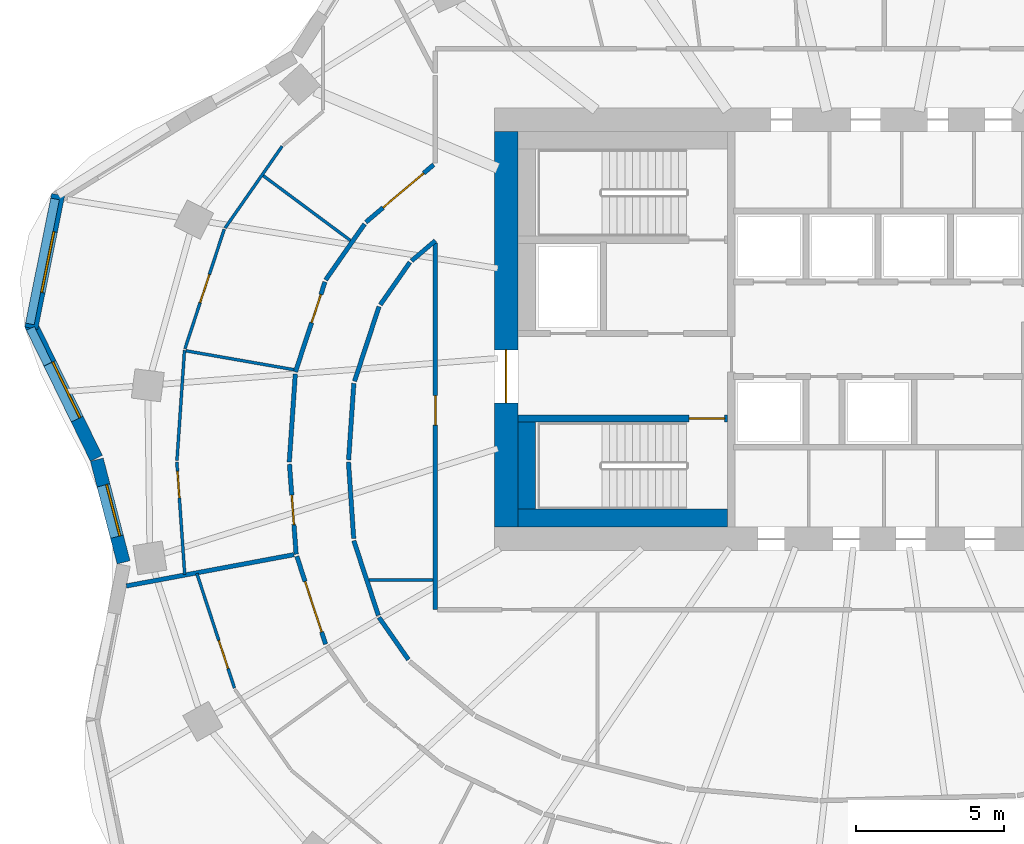
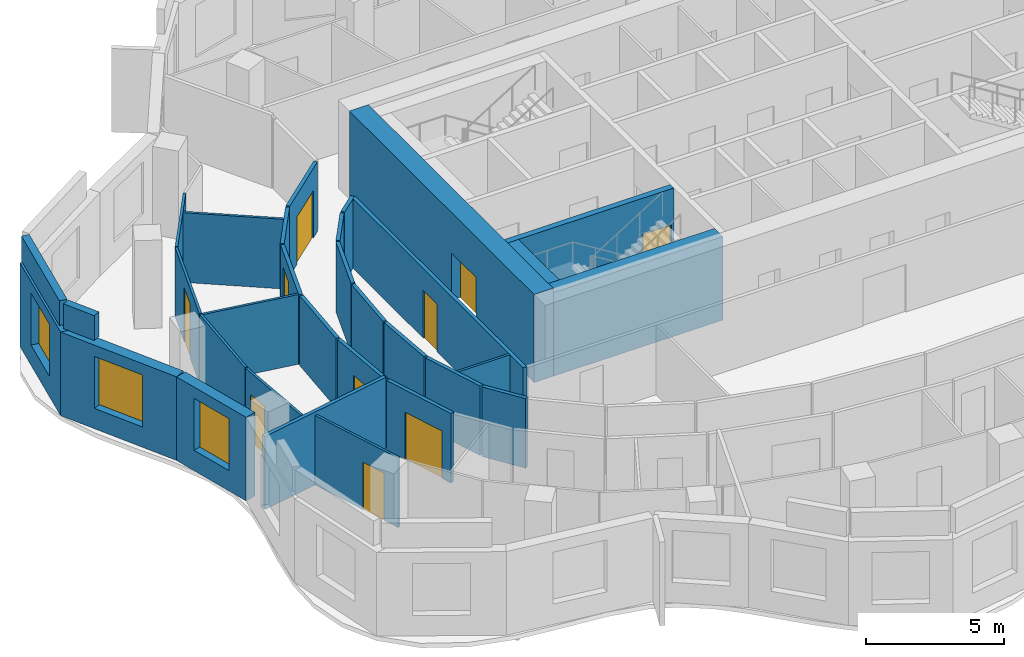
# One storey, part 4 of 11: 32 walls, 10 doors, 3 windows, 13 openings.
"""IFC4 building model written with IfcOpenShell, lengths in metres."""

from ifc_helpers import new_model, si_unit, direction, frame, frame_2d, origin, place, context, subcontext, project, spatial, rectangle, extrude, material, layer, layer_set, type_object, element, fill, save


model = new_model("IFC4")

# Units and contexts
model_context = context("Model", 3, precision=1e-05, world=origin(), true_north=direction((0.0, 1.0)))
body_context = subcontext(model_context, "Body", "Model", "MODEL_VIEW")
ifc_project = project(units=[si_unit("LENGTHUNIT", "METRE"), si_unit("AREAUNIT", "SQUARE_METRE"), si_unit("VOLUMEUNIT", "CUBIC_METRE"), si_unit("PLANEANGLEUNIT", "RADIAN"), si_unit("MASSUNIT", "GRAM", prefix="KILO")], contexts=[model_context])

# Site, building, storey
site_placement = place(None, origin())
site = spatial("IfcSite", under=ifc_project, at=site_placement, CompositionType="ELEMENT")
building_placement = place(site_placement, origin())
building = spatial("IfcBuilding", under=site, at=building_placement, Name="Rubra Terraces Tower", CompositionType="ELEMENT")
storey_placement = place(building_placement, frame((0.0, 0.0, 181.800048828125)))
storey = spatial("IfcBuildingStorey", under=building, at=storey_placement, Name="L44", CompositionType="ELEMENT", Elevation=181.800048828125)

# Wall, opening, window
ifc_material_1 = material(Name="Brick masonry red-brown", Category="masonry")
ifc_layer_1 = layer(ifc_material_1, 0.449951171875)
ifc_layer_set_1 = layer_set([ifc_layer_1], Name="Brick masonry red-brown")
wall_type_1 = type_object("IfcWallType", Name="Brick facade wall 450", PredefinedType="SOLIDWALL", material=ifc_layer_set_1)
wall_1_placement = place(storey_placement, frame((-27.779541015625, 9.053466796875, 0.0), z_axis=(0.0, 0.0, 1.0), x_axis=(-0.197796229105, -0.980243159503, 0.0)))
wall_1 = element("IfcWall", 1, at=wall_1_placement, inside=storey, type_object=wall_type_1, Name="Facade wall L44 bay 19", PredefinedType="SOLIDWALL", context=body_context, shape_type="SweptSolid", body=[
    extrude(rectangle(XDim=4.610107421875, YDim=0.449951171875, at=frame_2d((2.30517578125, 0.0))), origin(), (0.0, 0.0, 1.0), 3.699951171875),
])
opening_1_placement = place(wall_1_placement, frame((1.255126953125, 0.0, 0.89990234375)))
opening_1 = element("IfcOpeningElement", 2, at=opening_1_placement, cuts=wall_1, Name="Opening W1B", PredefinedType="OPENING", context=body_context, shape_type="SweptSolid", body=[
    extrude(rectangle(XDim=2.10009765625, YDim=2.300048828125, at=frame_2d((1.050048828125, 1.14990234375))), frame((0.0, 0.23486328125, 0.0), z_axis=(0.0, -1.0, 0.0), x_axis=(1.0, 0.0, 0.0)), (0.0, 0.0, 1.0), 0.469970703125),
])
ifc_material_2 = material(Name="Clear glass in aluminium frame", Category="aluminium")
window_type_1 = type_object("IfcWindowType", Name="Fixed deep-set window tall storey 2100 x 2300", PartitioningType="SINGLE_PANEL", PredefinedType="WINDOW", material=ifc_material_2)
window_1_placement = place(opening_1_placement, origin())
window_1 = element("IfcWindow", 3, at=window_1_placement, inside=storey, type_object=window_type_1, Name="Window L44 bay 19", OverallHeight=2.300048828125, OverallWidth=2.10009765625, PartitioningType="SINGLE_PANEL", PredefinedType="WINDOW", context=body_context, shape_type="SweptSolid", body=[
    extrude(rectangle(XDim=2.10009765625, YDim=2.300048828125, at=frame_2d((1.050048828125, 1.14990234375))), frame((0.0, 0.135009765625, 0.0), z_axis=(0.0, -1.0, 0.0), x_axis=(1.0, 0.0, 0.0)), (0.0, 0.0, 1.0), 0.06005859375),
])
fill(opening_1, window_1)

wall_2_placement = place(storey_placement, frame((-28.70703125, 4.672119140625, 0.0), z_axis=(0.0, 0.0, 1.0), x_axis=(0.439053549989, -0.898460895221, 0.0)))
wall_2 = element("IfcWall", 4, at=wall_2_placement, inside=storey, type_object=wall_type_1, Name="Facade wall L44 bay 20", PredefinedType="SOLIDWALL", context=body_context, shape_type="SweptSolid", body=[
    extrude(rectangle(XDim=5.061767578125, YDim=0.449951171875, at=frame_2d((2.53076171875, 0.0))), origin(), (0.0, 0.0, 1.0), 3.699951171875),
])
opening_2_placement = place(wall_2_placement, frame((1.48095703125, 0.0, 0.89990234375)))
opening_2 = element("IfcOpeningElement", 5, at=opening_2_placement, cuts=wall_2, Name="Opening W1B", PredefinedType="OPENING", context=body_context, shape_type="SweptSolid", body=[
    extrude(rectangle(XDim=2.10009765625, YDim=2.300048828125, at=frame_2d((1.050048828125, 1.14990234375))), frame((0.0, 0.23486328125, 0.0), z_axis=(0.0, -1.0, 0.0), x_axis=(1.0, 0.0, 0.0)), (0.0, 0.0, 1.0), 0.469970703125),
])
window_2_placement = place(opening_2_placement, origin())
window_2 = element("IfcWindow", 6, at=window_2_placement, inside=storey, type_object=window_type_1, Name="Window L44 bay 20", OverallHeight=2.300048828125, OverallWidth=2.10009765625, PartitioningType="SINGLE_PANEL", PredefinedType="WINDOW", context=body_context, shape_type="SweptSolid", body=[
    extrude(rectangle(XDim=2.10009765625, YDim=2.300048828125, at=frame_2d((1.050048828125, 1.14990234375))), frame((0.0, 0.135009765625, 0.0), z_axis=(0.0, -1.0, 0.0), x_axis=(1.0, 0.0, 0.0)), (0.0, 0.0, 1.0), 0.06005859375),
])
fill(opening_2, window_2)

wall_3_placement = place(storey_placement, frame((-26.469482421875, 0.0791015625, 0.0), z_axis=(0.0, 0.0, 1.0), x_axis=(0.252446779859, -0.967610780913, 0.0)))
wall_3 = element("IfcWall", 7, at=wall_3_placement, inside=storey, type_object=wall_type_1, Name="Facade wall L44 bay 21", PredefinedType="SOLIDWALL", context=body_context, shape_type="SweptSolid", body=[
    extrude(rectangle(XDim=3.5947265625, YDim=0.449951171875, at=frame_2d((1.79736328125, 0.0))), origin(), (0.0, 0.0, 1.0), 3.699951171875),
])
opening_3_placement = place(wall_3_placement, frame((0.897216796875, 0.0, 0.89990234375)))
opening_3 = element("IfcOpeningElement", 8, at=opening_3_placement, cuts=wall_3, Name="Opening W6B", PredefinedType="OPENING", context=body_context, shape_type="SweptSolid", body=[
    extrude(rectangle(XDim=1.800048828125, YDim=2.300048828125, at=frame_2d((0.89990234375, 1.14990234375))), frame((0.0, 0.23486328125, 0.0), z_axis=(0.0, -1.0, 0.0), x_axis=(1.0, 0.0, 0.0)), (0.0, 0.0, 1.0), 0.469970703125),
])
window_type_2 = type_object("IfcWindowType", Name="Fixed deep-set window at wind fin tall storey 1800 x 2300", PartitioningType="SINGLE_PANEL", PredefinedType="WINDOW", material=ifc_material_2)
window_3_placement = place(opening_3_placement, origin())
window_3 = element("IfcWindow", 9, at=window_3_placement, inside=storey, type_object=window_type_2, Name="Window L44 bay 21", OverallHeight=2.300048828125, OverallWidth=1.800048828125, PartitioningType="SINGLE_PANEL", PredefinedType="WINDOW", context=body_context, shape_type="SweptSolid", body=[
    extrude(rectangle(XDim=1.800048828125, YDim=2.300048828125, at=frame_2d((0.89990234375, 1.14990234375))), frame((0.0, 0.135009765625, 0.0), z_axis=(0.0, -1.0, 0.0), x_axis=(1.0, 0.0, 0.0)), (0.0, 0.0, 1.0), 0.06005859375),
])
fill(opening_3, window_3)

# Walls
ifc_layer_2 = layer(ifc_material_1, 0.300048828125)
ifc_layer_set_2 = layer_set([ifc_layer_2], Name="Brick masonry red-brown")
wall_type_2 = type_object("IfcWallType", Name="Brick parapet 300", PredefinedType="PARAPET", material=ifc_layer_set_2)
wall_4_placement = place(storey_placement, frame((-27.884521484375, 8.91162109375, 3.89990234375), z_axis=(0.0, 0.0, 1.0), x_axis=(-0.197855213088, -0.980231255701, 0.0)))
element("IfcWall", 10, at=wall_4_placement, inside=storey, type_object=wall_type_2, Name="Parapet L44 bay 19", PredefinedType="PARAPET", context=body_context, shape_type="SweptSolid", body=[
    extrude(rectangle(XDim=4.31884765625, YDim=0.300048828125, at=frame_2d((2.159423828125, 0.0))), origin(), (0.0, 0.0, 1.0), 1.10009765625),
])
wall_5_placement = place(storey_placement, frame((-28.719482421875, 4.5263671875, 3.89990234375), z_axis=(0.0, 0.0, 1.0), x_axis=(0.439122076977, -0.898427404697, 0.0)))
element("IfcWall", 11, at=wall_5_placement, inside=storey, type_object=wall_type_2, Name="Parapet L44 bay 20", PredefinedType="PARAPET", context=body_context, shape_type="SweptSolid", body=[
    extrude(rectangle(XDim=1.3427734375, YDim=0.300048828125, at=frame_2d((0.67138671875, 0.0))), origin(), (0.0, 0.0, 1.0), 1.10009765625),
])

# Wall, opening, door
ifc_material_3 = material(Name="Concrete C50", Category="concrete")
ifc_layer_3 = layer(ifc_material_3, 0.800048828125)
ifc_layer_set_3 = layer_set([ifc_layer_3], Name="Concrete C50")
wall_type_3 = type_object("IfcWallType", Name="CORE WALL 800 C50", PredefinedType="SHEAR", material=ifc_layer_set_3)
wall_6_placement = place(storey_placement, frame((-12.60009765625, -2.199951171875, 0.0), z_axis=(0.0, 0.0, 1.0), x_axis=(0.0, 1.0, 0.0)))
wall_6 = element("IfcWall", 12, at=wall_6_placement, inside=storey, type_object=wall_type_3, Name="CORE WALL W L44", PredefinedType="SHEAR", context=body_context, shape_type="SweptSolid", body=[
    extrude(rectangle(XDim=13.39990234375, YDim=0.800048828125, at=frame_2d((6.699951171875, 0.0))), origin(), (0.0, 0.0, 1.0), 3.89990234375),
])
opening_4_placement = place(wall_6_placement, frame((4.199951171875, 0.0, 0.0)))
opening_4 = element("IfcOpeningElement", 13, at=opening_4_placement, cuts=wall_6, Name="Opening L44.C01", PredefinedType="OPENING", context=body_context, shape_type="SweptSolid", body=[
    extrude(rectangle(XDim=1.800048828125, YDim=2.10009765625, at=frame_2d((0.89990234375, 1.050048828125))), frame((0.0, 0.409912109375, 0.0), z_axis=(0.0, -1.0, 0.0), x_axis=(1.0, 0.0, 0.0)), (0.0, 0.0, 1.0), 0.820068359375),
])
ifc_material_4 = material(Name="Painted steel", Category="steel")
door_type_1 = type_object("IfcDoorType", Name="Fire door 1800x2100 double", OperationType="NOTDEFINED", PredefinedType="DOOR", material=ifc_material_4)
door_1_placement = place(opening_4_placement, origin())
door_1 = element("IfcDoor", 14, at=door_1_placement, inside=storey, type_object=door_type_1, Name="Core entrance door FF1", OperationType="DOUBLE_DOOR_SINGLE_SWING", OverallHeight=2.10009765625, OverallWidth=1.800048828125, PredefinedType="DOOR", context=body_context, shape_type="SweptSolid", body=[
    extrude(rectangle(XDim=1.800048828125, YDim=2.10009765625, at=frame_2d((0.89990234375, 1.050048828125))), frame((0.0, 0.02490234375, 0.0), z_axis=(0.0, -1.0, 0.0), x_axis=(1.0, 0.0, 0.0)), (0.0, 0.0, 1.0), 0.050048828125),
])
fill(opening_4, door_1)

ifc_material_5 = material(Name="Plasterboard on steel stud, mineral wool infill", Category="steel")
ifc_layer_4 = layer(ifc_material_5, 0.14990234375)
ifc_layer_set_4 = layer_set([ifc_layer_4], Name="Plasterboard on steel stud, mineral wool infill")
wall_type_4 = type_object("IfcWallType", Name="CORRIDOR PARTITION 150", PredefinedType="PARTITIONING", material=ifc_layer_set_4)
wall_7_placement = place(storey_placement, frame((-15.05712890625, 10.072998046875, 0.0), z_axis=(0.0, 0.0, 1.0), x_axis=(-0.762398905861, -0.647107339119, 0.0)))
wall_7 = element("IfcWall", 15, at=wall_7_placement, inside=storey, type_object=wall_type_4, Name="PARTITION", PredefinedType="PARTITIONING", context=body_context, shape_type="SweptSolid", body=[
    extrude(rectangle(XDim=3.013427734375, YDim=0.14990234375, at=frame_2d((1.5068359375, 0.0))), origin(), (0.0, 0.0, 1.0), 3.083984375),
])
opening_5_placement = place(wall_7_placement, frame((0.449951171875, 0.0, 0.0)))
opening_5 = element("IfcOpeningElement", 16, at=opening_5_placement, cuts=wall_7, Name="Opening 44-110", PredefinedType="OPENING", context=body_context, shape_type="SweptSolid", body=[
    extrude(rectangle(XDim=1.800048828125, YDim=2.10009765625, at=frame_2d((0.89990234375, 1.050048828125))), frame((0.0, 0.0849609375, 0.0), z_axis=(0.0, -1.0, 0.0), x_axis=(1.0, 0.0, 0.0)), (0.0, 0.0, 1.0), 0.169921875),
])
ifc_material_6 = material(Name="Painted timber door leaf, double", Category="wood")
door_type_2 = type_object("IfcDoorType", Name="ROOM DOUBLE DOOR 1800 X 2100", OperationType="DOUBLE_DOOR_SINGLE_SWING", PredefinedType="DOOR", material=ifc_material_6)
door_2_placement = place(opening_5_placement, origin())
door_2 = element("IfcDoor", 17, at=door_2_placement, inside=storey, type_object=door_type_2, Name="DOOR 44-110", OperationType="DOUBLE_DOOR_SINGLE_SWING", OverallHeight=2.10009765625, OverallWidth=1.800048828125, PredefinedType="DOOR", context=body_context, shape_type="SweptSolid", body=[
    extrude(rectangle(XDim=1.800048828125, YDim=2.10009765625, at=frame_2d((0.89990234375, 1.050048828125))), frame((0.0, 0.02490234375, 0.0), z_axis=(0.0, -1.0, 0.0), x_axis=(1.0, 0.0, 0.0)), (0.0, 0.0, 1.0), 0.050048828125),
])
fill(opening_5, door_2)

# Wall
wall_8_placement = place(storey_placement, frame((-17.3974609375, 8.0615234375, 0.0), z_axis=(0.0, 0.0, 1.0), x_axis=(-0.572118665737, -0.820170855563, 0.0)))
element("IfcWall", 18, at=wall_8_placement, inside=storey, type_object=wall_type_4, Name="PARTITION", PredefinedType="PARTITIONING", context=body_context, shape_type="SweptSolid", body=[
    extrude(rectangle(XDim=2.30615234375, YDim=0.14990234375, at=frame_2d((1.153076171875, 0.0))), origin(), (0.0, 0.0, 1.0), 3.083984375),
])

# Wall, opening, door
wall_9_placement = place(storey_placement, frame((-18.740234375, 6.098876953125, 0.0), z_axis=(0.0, 0.0, 1.0), x_axis=(-0.31188427026, -0.950120098706, 0.0)))
wall_9 = element("IfcWall", 19, at=wall_9_placement, inside=storey, type_object=wall_type_4, Name="PARTITION", PredefinedType="PARTITIONING", context=body_context, shape_type="SweptSolid", body=[
    extrude(rectangle(XDim=3.206298828125, YDim=0.14990234375, at=frame_2d((1.60302734375, 0.0))), origin(), (0.0, 0.0, 1.0), 3.083984375),
])
opening_6_placement = place(wall_9_placement, frame((0.449951171875, 0.0, 0.0)))
opening_6 = element("IfcOpeningElement", 20, at=opening_6_placement, cuts=wall_9, Name="Opening 44-111", PredefinedType="OPENING", context=body_context, shape_type="SweptSolid", body=[
    extrude(rectangle(XDim=1.0, YDim=2.39990234375, at=frame_2d((0.5, 1.199951171875))), frame((0.0, 0.0849609375, 0.0), z_axis=(0.0, -1.0, 0.0), x_axis=(1.0, 0.0, 0.0)), (0.0, 0.0, 1.0), 0.169921875),
])
ifc_material_7 = material(Name="Glazed aluminium meeting door leaf", Category="aluminium")
door_type_3 = type_object("IfcDoorType", Name="MEETING ROOM GLAZED DOOR 1000 X 2400", OperationType="SINGLE_SWING_LEFT", PredefinedType="DOOR", material=ifc_material_7)
door_3_placement = place(opening_6_placement, origin())
door_3 = element("IfcDoor", 21, at=door_3_placement, inside=storey, type_object=door_type_3, Name="DOOR 44-111", OperationType="SINGLE_SWING_RIGHT", OverallHeight=2.39990234375, OverallWidth=1.0, PredefinedType="DOOR", context=body_context, shape_type="SweptSolid", body=[
    extrude(rectangle(XDim=1.0, YDim=2.39990234375, at=frame_2d((0.5, 1.199951171875))), frame((0.0, 0.02490234375, 0.0), z_axis=(0.0, -1.0, 0.0), x_axis=(1.0, 0.0, 0.0)), (0.0, 0.0, 1.0), 0.050048828125),
])
fill(opening_6, door_3)

# Wall
wall_10_placement = place(storey_placement, frame((-19.745361328125, 2.9775390625, 0.0), z_axis=(0.0, 0.0, 1.0), x_axis=(-0.068142324, -0.997675610447, 0.0)))
element("IfcWall", 22, at=wall_10_placement, inside=storey, type_object=wall_type_4, Name="PARTITION", PredefinedType="PARTITIONING", context=body_context, shape_type="SweptSolid", body=[
    extrude(rectangle(XDim=2.984375, YDim=0.14990234375, at=frame_2d((1.4921875, 0.0))), origin(), (0.0, 0.0, 1.0), 3.083984375),
])

# Wall, opening, door
wall_11_placement = place(storey_placement, frame((-19.943115234375, -0.07470703125, 0.0), z_axis=(0.0, 0.0, 1.0), x_axis=(0.074071611523, -0.997252924973, 0.0)))
wall_11 = element("IfcWall", 23, at=wall_11_placement, inside=storey, type_object=wall_type_4, Name="PARTITION", PredefinedType="PARTITIONING", context=body_context, shape_type="SweptSolid", body=[
    extrude(rectangle(XDim=3.05859375, YDim=0.14990234375, at=frame_2d((1.529296875, 0.0))), origin(), (0.0, 0.0, 1.0), 3.083984375),
])
opening_7_placement = place(wall_11_placement, frame((1.050048828125, 0.0, 0.0)))
opening_7 = element("IfcOpeningElement", 24, at=opening_7_placement, cuts=wall_11, Name="Opening 44-135", PredefinedType="OPENING", context=body_context, shape_type="SweptSolid", body=[
    extrude(rectangle(XDim=1.0, YDim=2.10009765625, at=frame_2d((0.5, 1.050048828125))), frame((0.0, 0.0849609375, 0.0), z_axis=(0.0, -1.0, 0.0), x_axis=(1.0, 0.0, 0.0)), (0.0, 0.0, 1.0), 0.169921875),
])
ifc_material_8 = material(Name="Painted timber door leaf", Category="wood")
door_type_4 = type_object("IfcDoorType", Name="ROOM DOOR 1000 X 2100", OperationType="SINGLE_SWING_LEFT", PredefinedType="DOOR", material=ifc_material_8)
door_4_placement = place(opening_7_placement, origin())
door_4 = element("IfcDoor", 25, at=door_4_placement, inside=storey, type_object=door_type_4, Name="DOOR 44-135", OperationType="SINGLE_SWING_RIGHT", OverallHeight=2.10009765625, OverallWidth=1.0, PredefinedType="DOOR", context=body_context, shape_type="SweptSolid", body=[
    extrude(rectangle(XDim=1.0, YDim=2.10009765625, at=frame_2d((0.5, 1.050048828125))), frame((0.0, 0.02490234375, 0.0), z_axis=(0.0, -1.0, 0.0), x_axis=(1.0, 0.0, 0.0)), (0.0, 0.0, 1.0), 0.050048828125),
])
fill(opening_7, door_4)

wall_12_placement = place(storey_placement, frame((-19.693115234375, -3.1962890625, 0.0), z_axis=(0.0, 0.0, 1.0), x_axis=(0.311918951318, -0.950108713679, 0.0)))
wall_12 = element("IfcWall", 26, at=wall_12_placement, inside=storey, type_object=wall_type_4, Name="PARTITION", PredefinedType="PARTITIONING", context=body_context, shape_type="SweptSolid", body=[
    extrude(rectangle(XDim=3.130126953125, YDim=0.14990234375, at=frame_2d((1.56494140625, 0.0))), origin(), (0.0, 0.0, 1.0), 3.083984375),
])
opening_8_placement = place(wall_12_placement, frame((0.89990234375, 0.0, 0.0)))
opening_8 = element("IfcOpeningElement", 27, at=opening_8_placement, cuts=wall_12, Name="Opening 44-113", PredefinedType="OPENING", context=body_context, shape_type="SweptSolid", body=[
    extrude(rectangle(XDim=1.800048828125, YDim=2.10009765625, at=frame_2d((0.89990234375, 1.050048828125))), frame((0.0, 0.0849609375, 0.0), z_axis=(0.0, -1.0, 0.0), x_axis=(1.0, 0.0, 0.0)), (0.0, 0.0, 1.0), 0.169921875),
])
door_5_placement = place(opening_8_placement, origin())
door_5 = element("IfcDoor", 28, at=door_5_placement, inside=storey, type_object=door_type_2, Name="DOOR 44-113", OperationType="DOUBLE_DOOR_SINGLE_SWING", OverallHeight=2.10009765625, OverallWidth=1.800048828125, PredefinedType="DOOR", context=body_context, shape_type="SweptSolid", body=[
    extrude(rectangle(XDim=1.800048828125, YDim=2.10009765625, at=frame_2d((0.89990234375, 1.050048828125))), frame((0.0, 0.02490234375, 0.0), z_axis=(0.0, -1.0, 0.0), x_axis=(1.0, 0.0, 0.0)), (0.0, 0.0, 1.0), 0.050048828125),
])
fill(opening_8, door_5)

# Walls
wall_13_placement = place(storey_placement, frame((-15.911865234375, -6.695556640625, 0.0), z_axis=(0.0, 0.0, 1.0), x_axis=(-0.572078533763, 0.820198848578, 0.0)))
element("IfcWall", 29, at=wall_13_placement, inside=storey, type_object=wall_type_4, Name="PARTITION", PredefinedType="PARTITIONING", context=body_context, shape_type="SweptSolid", body=[
    extrude(rectangle(XDim=1.74169921875, YDim=0.14990234375, at=frame_2d((0.870849609375, 0.0))), origin(), (0.0, 0.0, 1.0), 3.083984375),
])
wall_14_placement = place(storey_placement, frame((-16.931640625, -5.19580078125, 0.0), z_axis=(0.0, 0.0, 1.0), x_axis=(-0.311904957484, 0.950113307715, 0.0)))
element("IfcWall", 30, at=wall_14_placement, inside=storey, type_object=wall_type_4, Name="PARTITION", PredefinedType="PARTITIONING", context=body_context, shape_type="SweptSolid", body=[
    extrude(rectangle(XDim=2.662109375, YDim=0.14990234375, at=frame_2d((1.3310546875, 0.0))), origin(), (0.0, 0.0, 1.0), 3.083984375),
])
wall_15_placement = place(storey_placement, frame((-17.76708984375, -2.591552734375, 0.0), z_axis=(0.0, 0.0, 1.0), x_axis=(-0.068140828228, 0.997675712608, 0.0)))
element("IfcWall", 31, at=wall_15_placement, inside=storey, type_object=wall_type_4, Name="PARTITION", PredefinedType="PARTITIONING", context=body_context, shape_type="SweptSolid", body=[
    extrude(rectangle(XDim=2.59765625, YDim=0.14990234375, at=frame_2d((1.298828125, 0.0))), origin(), (0.0, 0.0, 1.0), 3.083984375),
])
wall_16_placement = place(storey_placement, frame((-17.939208984375, 0.07470703125, 0.0), z_axis=(0.0, 0.0, 1.0), x_axis=(0.068227980697, 0.997669756307, 0.0)))
element("IfcWall", 32, at=wall_16_placement, inside=storey, type_object=wall_type_4, Name="PARTITION", PredefinedType="PARTITIONING", context=body_context, shape_type="SweptSolid", body=[
    extrude(rectangle(XDim=2.597900390625, YDim=0.14990234375, at=frame_2d((1.298828125, 0.0))), origin(), (0.0, 0.0, 1.0), 3.083984375),
])
wall_17_placement = place(storey_placement, frame((-17.738525390625, 2.73779296875, 0.0), z_axis=(0.0, 0.0, 1.0), x_axis=(0.311904957484, 0.950113307715, 0.0)))
element("IfcWall", 33, at=wall_17_placement, inside=storey, type_object=wall_type_4, Name="PARTITION", PredefinedType="PARTITIONING", context=body_context, shape_type="SweptSolid", body=[
    extrude(rectangle(XDim=2.662109375, YDim=0.14990234375, at=frame_2d((1.3310546875, 0.0))), origin(), (0.0, 0.0, 1.0), 3.083984375),
])
wall_18_placement = place(storey_placement, frame((-16.865478515625, 5.32861328125, 0.0), z_axis=(0.0, 0.0, 1.0), x_axis=(0.572096615639, 0.820186236397, 0.0)))
element("IfcWall", 34, at=wall_18_placement, inside=storey, type_object=wall_type_4, Name="PARTITION", PredefinedType="PARTITIONING", context=body_context, shape_type="SweptSolid", body=[
    extrude(rectangle(XDim=1.752685546875, YDim=0.14990234375, at=frame_2d((0.87646484375, 0.0))), origin(), (0.0, 0.0, 1.0), 3.083984375),
])
wall_19_placement = place(storey_placement, frame((-15.805419921875, 6.814453125, 0.0), z_axis=(0.0, 0.0, 1.0), x_axis=(0.762298381233, 0.647225755027, 0.0)))
element("IfcWall", 35, at=wall_19_placement, inside=storey, type_object=wall_type_4, Name="PARTITION", PredefinedType="PARTITIONING", context=body_context, shape_type="SweptSolid", body=[
    extrude(rectangle(XDim=1.056640625, YDim=0.14990234375, at=frame_2d((0.5283203125, 0.0))), origin(), (0.0, 0.0, 1.0), 3.083984375),
])

# Wall, opening, door
wall_20_placement = place(storey_placement, frame((-15.0, 7.423095703125, 0.0), z_axis=(0.0, 0.0, 1.0), x_axis=(0.0, -1.0, 0.0)))
wall_20 = element("IfcWall", 36, at=wall_20_placement, inside=storey, type_object=wall_type_4, Name="PARTITION", PredefinedType="PARTITIONING", context=body_context, shape_type="SweptSolid", body=[
    extrude(rectangle(XDim=12.423095703125, YDim=0.14990234375, at=frame_2d((6.21142578125, 0.0))), origin(), (0.0, 0.0, 1.0), 3.083984375),
])
opening_9_placement = place(wall_20_placement, frame((5.174072265625, 0.0, 0.0)))
opening_9 = element("IfcOpeningElement", 37, at=opening_9_placement, cuts=wall_20, Name="Opening 44-127", PredefinedType="OPENING", context=body_context, shape_type="SweptSolid", body=[
    extrude(rectangle(XDim=1.0, YDim=2.10009765625, at=frame_2d((0.5, 1.050048828125))), frame((0.0, 0.0849609375, 0.0), z_axis=(0.0, -1.0, 0.0), x_axis=(1.0, 0.0, 0.0)), (0.0, 0.0, 1.0), 0.169921875),
])
door_6_placement = place(opening_9_placement, origin())
door_6 = element("IfcDoor", 38, at=door_6_placement, inside=storey, type_object=door_type_4, Name="DOOR 44-127", OperationType="SINGLE_SWING_RIGHT", OverallHeight=2.10009765625, OverallWidth=1.0, PredefinedType="DOOR", context=body_context, shape_type="SweptSolid", body=[
    extrude(rectangle(XDim=1.0, YDim=2.10009765625, at=frame_2d((0.5, 1.050048828125))), frame((0.0, 0.02490234375, 0.0), z_axis=(0.0, -1.0, 0.0), x_axis=(1.0, 0.0, 0.0)), (0.0, 0.0, 1.0), 0.050048828125),
])
fill(opening_9, door_6)

# Walls
ifc_material_9 = material(Name="Concrete C40", Category="concrete")
ifc_layer_5 = layer(ifc_material_9, 0.60009765625)
ifc_layer_set_5 = layer_set([ifc_layer_5], Name="Concrete C40")
wall_type_5 = type_object("IfcWallType", Name="Core lining wall 600 concrete", PredefinedType="SOLIDWALL", material=ifc_layer_set_5)
wall_21_placement = place(storey_placement, frame((-12.199951171875, -1.89990234375, 0.0), z_axis=(0.0, 0.0, 1.0), x_axis=(1.0, 0.0, 0.0)))
element("IfcWall", 39, at=wall_21_placement, inside=storey, type_object=wall_type_5, Name="CORE LINING WALL L44", PredefinedType="SOLIDWALL", context=body_context, shape_type="SweptSolid", body=[
    extrude(rectangle(XDim=7.099853515625, YDim=0.60009765625, at=frame_2d((3.5498046875, 0.0))), origin(), (0.0, 0.0, 1.0), 3.699951171875),
])
wall_22_placement = place(storey_placement, frame((-11.89990234375, -1.60009765625, 0.0), z_axis=(0.0, 0.0, 1.0), x_axis=(0.0, 1.0, 0.0)))
element("IfcWall", 40, at=wall_22_placement, inside=storey, type_object=wall_type_5, Name="CORE LINING WALL L44", PredefinedType="SOLIDWALL", context=body_context, shape_type="SweptSolid", body=[
    extrude(rectangle(XDim=2.9501953125, YDim=0.60009765625, at=frame_2d((1.47509765625, 0.0))), origin(), (0.0, 0.0, 1.0), 3.699951171875),
])

# Wall, opening, door
ifc_material_10 = material(Name="Plasterboard on steel stud", Category="steel")
ifc_layer_6 = layer(ifc_material_10, 0.10009765625)
ifc_layer_set_6 = layer_set([ifc_layer_6], Name="Plasterboard on steel stud")
wall_type_6 = type_object("IfcWallType", Name="ROOM PARTITION 100", PredefinedType="PARTITIONING", material=ifc_layer_set_6)
wall_23_placement = place(storey_placement, frame((-23.4912109375, -3.8095703125, 0.0), z_axis=(0.0, 0.0, 1.0), x_axis=(-0.069811314636, 0.997560213896, 0.0)))
wall_23 = element("IfcWall", 41, at=wall_23_placement, inside=storey, type_object=wall_type_6, Name="PARTITION", PredefinedType="PARTITIONING", context=body_context, shape_type="SweptSolid", body=[
    extrude(rectangle(XDim=3.81884765625, YDim=0.10009765625, at=frame_2d((1.909423828125, 0.0))), origin(), (0.0, 0.0, 1.0), 3.083984375),
])
opening_10_placement = place(wall_23_placement, frame((2.60009765625, 0.0, 0.0)))
opening_10 = element("IfcOpeningElement", 42, at=opening_10_placement, cuts=wall_23, Name="Opening 44-112", PredefinedType="OPENING", context=body_context, shape_type="SweptSolid", body=[
    extrude(rectangle(XDim=0.89990234375, YDim=2.10009765625, at=frame_2d((0.449951171875, 1.050048828125))), frame((0.0, 0.06005859375, 0.0), z_axis=(0.0, -1.0, 0.0), x_axis=(1.0, 0.0, 0.0)), (0.0, 0.0, 1.0), 0.1201171875),
])
door_type_5 = type_object("IfcDoorType", Name="ROOM DOOR 900 X 2100", OperationType="SINGLE_SWING_LEFT", PredefinedType="DOOR", material=ifc_material_8)
door_7_placement = place(opening_10_placement, origin())
door_7 = element("IfcDoor", 43, at=door_7_placement, inside=storey, type_object=door_type_5, Name="DOOR 44-112", OperationType="SINGLE_SWING_LEFT", OverallHeight=2.10009765625, OverallWidth=0.89990234375, PredefinedType="DOOR", context=body_context, shape_type="SweptSolid", body=[
    extrude(rectangle(XDim=0.89990234375, YDim=2.10009765625, at=frame_2d((0.449951171875, 1.050048828125))), frame((0.0, 0.02490234375, 0.0), z_axis=(0.0, -1.0, 0.0), x_axis=(1.0, 0.0, 0.0)), (0.0, 0.0, 1.0), 0.050048828125),
])
fill(opening_10, door_7)

# Wall
wall_24_placement = place(storey_placement, frame((-23.75439453125, 0.0498046875, 0.0), z_axis=(0.0, 0.0, 1.0), x_axis=(0.068193493527, 0.997672114194, 0.0)))
element("IfcWall", 44, at=wall_24_placement, inside=storey, type_object=wall_type_6, Name="PARTITION", PredefinedType="PARTITIONING", context=body_context, shape_type="SweptSolid", body=[
    extrude(rectangle(XDim=3.744873046875, YDim=0.10009765625, at=frame_2d((1.87255859375, 0.0))), origin(), (0.0, 0.0, 1.0), 3.083984375),
])

# Wall, opening, door
wall_25_placement = place(storey_placement, frame((-23.4833984375, 3.833251953125, 0.0), z_axis=(0.0, 0.0, 1.0), x_axis=(0.311880220566, 0.95012142804, 0.0)))
wall_25 = element("IfcWall", 45, at=wall_25_placement, inside=storey, type_object=wall_type_6, Name="PARTITION", PredefinedType="PARTITIONING", context=body_context, shape_type="SweptSolid", body=[
    extrude(rectangle(XDim=4.265380859375, YDim=0.10009765625, at=frame_2d((2.1328125, 0.0))), origin(), (0.0, 0.0, 1.0), 3.083984375),
])
opening_11_placement = place(wall_25_placement, frame((1.64990234375, 0.0, 0.0)))
opening_11 = element("IfcOpeningElement", 46, at=opening_11_placement, cuts=wall_25, Name="Opening 44-134", PredefinedType="OPENING", context=body_context, shape_type="SweptSolid", body=[
    extrude(rectangle(XDim=1.0, YDim=2.39990234375, at=frame_2d((0.5, 1.199951171875))), frame((0.0, 0.06005859375, 0.0), z_axis=(0.0, -1.0, 0.0), x_axis=(1.0, 0.0, 0.0)), (0.0, 0.0, 1.0), 0.1201171875),
])
door_8_placement = place(opening_11_placement, origin())
door_8 = element("IfcDoor", 47, at=door_8_placement, inside=storey, type_object=door_type_3, Name="DOOR 44-134", OperationType="SINGLE_SWING_LEFT", OverallHeight=2.39990234375, OverallWidth=1.0, PredefinedType="DOOR", context=body_context, shape_type="SweptSolid", body=[
    extrude(rectangle(XDim=1.0, YDim=2.39990234375, at=frame_2d((0.5, 1.199951171875))), frame((0.0, 0.02490234375, 0.0), z_axis=(0.0, -1.0, 0.0), x_axis=(1.0, 0.0, 0.0)), (0.0, 0.0, 1.0), 0.050048828125),
])
fill(opening_11, door_8)

# Walls
wall_26_placement = place(storey_placement, frame((-22.12451171875, 7.927001953125, 0.0), z_axis=(0.0, 0.0, 1.0), x_axis=(0.572100301866, 0.820183665166, 0.0)))
element("IfcWall", 48, at=wall_26_placement, inside=storey, type_object=wall_type_6, Name="PARTITION", PredefinedType="PARTITIONING", context=body_context, shape_type="SweptSolid", body=[
    extrude(rectangle(XDim=3.38232421875, YDim=0.10009765625, at=frame_2d((1.691162109375, 0.0))), origin(), (0.0, 0.0, 1.0), 3.083984375),
])
wall_27_placement = place(storey_placement, frame((-17.877197265625, 7.504638671875, 0.0), z_axis=(0.0, 0.0, 1.0), x_axis=(-0.802692989486, 0.596392458563, 0.0)))
element("IfcWall", 49, at=wall_27_placement, inside=storey, type_object=wall_type_6, Name="PARTITION", PredefinedType="PARTITIONING", context=body_context, shape_type="SweptSolid", body=[
    extrude(rectangle(XDim=3.677001953125, YDim=0.10009765625, at=frame_2d((1.83837890625, 0.0))), origin(), (0.0, 0.0, 1.0), 3.083984375),
])
wall_28_placement = place(storey_placement, frame((-19.793701171875, 3.1279296875, 0.0), z_axis=(0.0, 0.0, 1.0), x_axis=(-0.985065623684, 0.172179316518, 0.0)))
element("IfcWall", 50, at=wall_28_placement, inside=storey, type_object=wall_type_6, Name="PARTITION", PredefinedType="PARTITIONING", context=body_context, shape_type="SweptSolid", body=[
    extrude(rectangle(XDim=3.712158203125, YDim=0.10009765625, at=frame_2d((1.85595703125, 0.0))), origin(), (0.0, 0.0, 1.0), 3.083984375),
])

# Wall, opening, door
wall_29_placement = place(storey_placement, frame((-21.806884765625, -7.657958984375, 0.0), z_axis=(0.0, 0.0, 1.0), x_axis=(-0.311924580949, 0.950106865463, 0.0)))
wall_29 = element("IfcWall", 51, at=wall_29_placement, inside=storey, type_object=wall_type_6, Name="PARTITION", PredefinedType="PARTITIONING", context=body_context, shape_type="SweptSolid", body=[
    extrude(rectangle(XDim=4.087890625, YDim=0.10009765625, at=frame_2d((2.0439453125, 0.0))), origin(), (0.0, 0.0, 1.0), 3.083984375),
])
opening_12_placement = place(wall_29_placement, frame((0.698974609375, 0.0, 0.0)))
opening_12 = element("IfcOpeningElement", 52, at=opening_12_placement, cuts=wall_29, Name="Opening 44-114", PredefinedType="OPENING", context=body_context, shape_type="SweptSolid", body=[
    extrude(rectangle(XDim=1.0, YDim=2.10009765625, at=frame_2d((0.5, 1.050048828125))), frame((0.0, 0.06005859375, 0.0), z_axis=(0.0, -1.0, 0.0), x_axis=(1.0, 0.0, 0.0)), (0.0, 0.0, 1.0), 0.1201171875),
])
door_9_placement = place(opening_12_placement, origin())
door_9 = element("IfcDoor", 53, at=door_9_placement, inside=storey, type_object=door_type_4, Name="DOOR 44-114", OperationType="SINGLE_SWING_LEFT", OverallHeight=2.10009765625, OverallWidth=1.0, PredefinedType="DOOR", context=body_context, shape_type="SweptSolid", body=[
    extrude(rectangle(XDim=1.0, YDim=2.10009765625, at=frame_2d((0.5, 1.050048828125))), frame((0.0, 0.02490234375, 0.0), z_axis=(0.0, -1.0, 0.0), x_axis=(1.0, 0.0, 0.0)), (0.0, 0.0, 1.0), 0.050048828125),
])
fill(opening_12, door_9)

# Walls
wall_30_placement = place(storey_placement, frame((-17.249267578125, -4.0, 0.0), z_axis=(0.0, 0.0, 1.0), x_axis=(1.0, 0.0, 0.0)))
element("IfcWall", 54, at=wall_30_placement, inside=storey, type_object=wall_type_6, Name="PARTITION", PredefinedType="PARTITIONING", context=body_context, shape_type="SweptSolid", body=[
    extrude(rectangle(XDim=2.17431640625, YDim=0.10009765625, at=frame_2d((1.087158203125, 0.0))), origin(), (0.0, 0.0, 1.0), 3.083984375),
])
ifc_layer_7 = layer(ifc_material_10, 0.14990234375)
ifc_layer_set_7 = layer_set([ifc_layer_7], Name="Plasterboard on steel stud")
wall_type_7 = type_object("IfcWallType", Name="ROOM PARTITION 150", PredefinedType="PARTITIONING", material=ifc_layer_set_7)
wall_31_placement = place(storey_placement, frame((-25.466796875, -4.198974609375, 0.0), z_axis=(0.0, 0.0, 1.0), x_axis=(0.982998787258, 0.183612048216, 0.0)))
element("IfcWall", 55, at=wall_31_placement, inside=storey, type_object=wall_type_7, Name="PARTITION", PredefinedType="PARTITIONING", context=body_context, shape_type="SweptSolid", body=[
    extrude(rectangle(XDim=5.774658203125, YDim=0.14990234375, at=frame_2d((2.88720703125, 0.0))), origin(), (0.0, 0.0, 1.0), 3.23388671875),
])

# Wall, opening, door
ifc_layer_8 = layer(ifc_material_9, 0.25)
ifc_layer_set_8 = layer_set([ifc_layer_8], Name="Concrete C40")
wall_type_8 = type_object("IfcWallType", Name="Stair enclosure wall 250 concrete", PredefinedType="SOLIDWALL", material=ifc_layer_set_8)
wall_32_placement = place(storey_placement, frame((-12.199951171875, 1.47509765625, 0.0), z_axis=(0.0, 0.0, 1.0), x_axis=(1.0, 0.0, 0.0)))
wall_32 = element("IfcWall", 56, at=wall_32_placement, inside=storey, type_object=wall_type_8, Name="STAIR WALL L44", PredefinedType="SOLIDWALL", context=body_context, shape_type="SweptSolid", body=[
    extrude(rectangle(XDim=7.099853515625, YDim=0.25, at=frame_2d((3.5498046875, 0.0))), origin(), (0.0, 0.0, 1.0), 3.699951171875),
])
opening_13_placement = place(wall_32_placement, frame((5.800048828125, 0.0, 0.0)))
opening_13 = element("IfcOpeningElement", 57, at=opening_13_placement, cuts=wall_32, Name="Opening L44.C07", PredefinedType="OPENING", context=body_context, shape_type="SweptSolid", body=[
    extrude(rectangle(XDim=1.199951171875, YDim=2.10009765625, at=frame_2d((0.60009765625, 1.050048828125))), frame((0.0, 0.135009765625, 0.0), z_axis=(0.0, -1.0, 0.0), x_axis=(1.0, 0.0, 0.0)), (0.0, 0.0, 1.0), 0.27001953125),
])
door_type_6 = type_object("IfcDoorType", Name="Fire door 1200x2100 single", OperationType="NOTDEFINED", PredefinedType="DOOR", material=ifc_material_4)
door_10_placement = place(opening_13_placement, origin())
door_10 = element("IfcDoor", 58, at=door_10_placement, inside=storey, type_object=door_type_6, Name="Stair door S1", OperationType="SINGLE_SWING_LEFT", OverallHeight=2.10009765625, OverallWidth=1.199951171875, PredefinedType="DOOR", context=body_context, shape_type="SweptSolid", body=[
    extrude(rectangle(XDim=1.199951171875, YDim=2.10009765625, at=frame_2d((0.60009765625, 1.050048828125))), frame((0.0, 0.02490234375, 0.0), z_axis=(0.0, -1.0, 0.0), x_axis=(1.0, 0.0, 0.0)), (0.0, 0.0, 1.0), 0.050048828125),
])
fill(opening_13, door_10)

save(model, "model.ifc")
